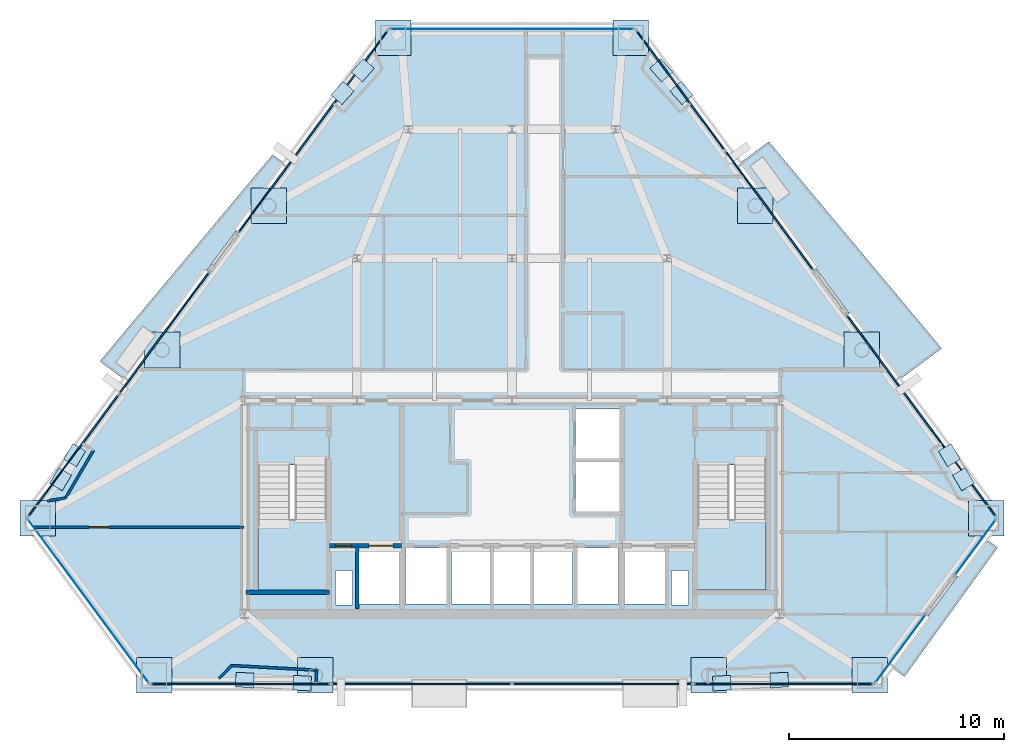
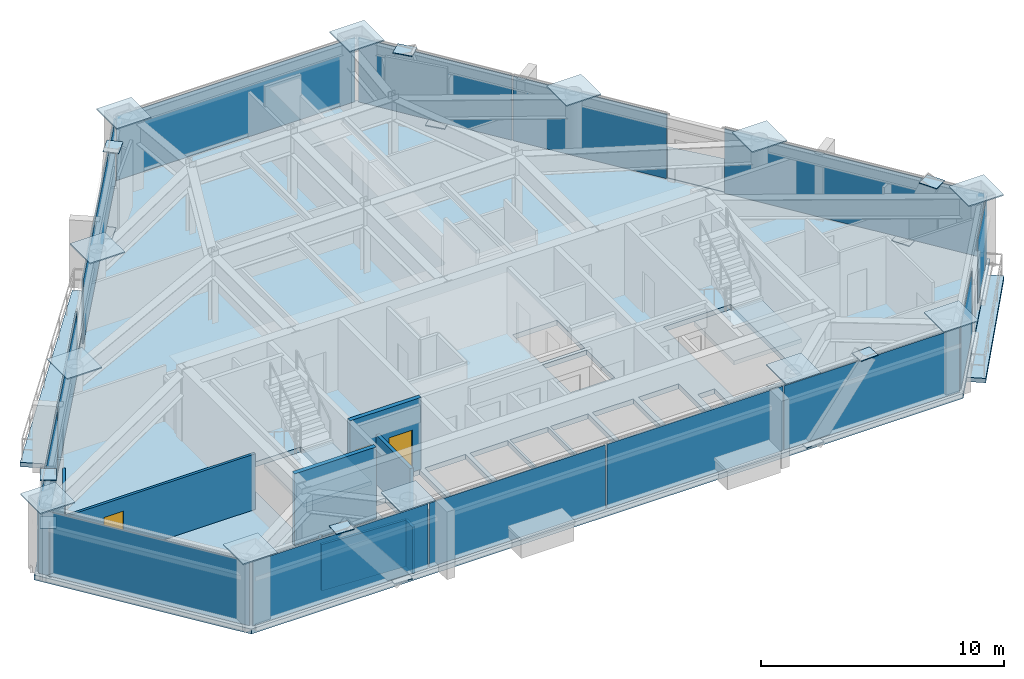
# One storey, part 6 of 11: 38 plates, 9 walls, 6 slabs, 3 doors, 3 openings, 11 elements without a shape of their own.
"""IFC4 building model written with IfcOpenShell, lengths in metres."""

from ifc_helpers import new_model, si_unit, direction, frame, frame_2d, origin, origin_2d, place, context, subcontext, project, spatial, polyline, rectangle, outline, extrude, source, transform, mapped, material, layer, layer_set, type_object, type_shapes, element, fill, aggregate, save


model = new_model("IFC4")

# Units and contexts
model_context = context("Model", 3, precision=1e-05, world=origin(), true_north=direction((0.0, 1.0)))
body_context = subcontext(model_context, "Body", "Model", "MODEL_VIEW")
ifc_project = project(units=[si_unit("LENGTHUNIT", "METRE"), si_unit("AREAUNIT", "SQUARE_METRE"), si_unit("VOLUMEUNIT", "CUBIC_METRE"), si_unit("PLANEANGLEUNIT", "RADIAN"), si_unit("MASSUNIT", "GRAM", prefix="KILO")], contexts=[model_context])

# Site, building, storey
site_placement = place(None, origin())
site = spatial("IfcSite", under=ifc_project, at=site_placement, CompositionType="ELEMENT")
building_placement = place(site_placement, origin())
building = spatial("IfcBuilding", under=site, at=building_placement, Name="Talgorran Terracotta Tower", CompositionType="ELEMENT")
storey_placement = place(building_placement, frame((0.0, 0.0, 125.699951171875)))
storey = spatial("IfcBuildingStorey", under=building, at=storey_placement, Name="L32", CompositionType="ELEMENT", Elevation=125.699951171875)

# Plates
ifc_material_1 = material(Name="Steel Grade 350 (350L0)", Category="steel")
ifc_layer_1 = layer(ifc_material_1, 0.035888671875, Name="PL_CAP_MN06")
ifc_layer_set_1 = layer_set([ifc_layer_1], Name="Steel Grade 350 (350L0)")
plate_type_1 = type_object("IfcPlateType", Name="PL_CAP_MN06", PredefinedType="USERDEFINED", material=ifc_layer_set_1)
for number, where, z_axis, x_axis, name in (
    (1, (-9.743896484375, -17.3232421875, -0.0078125), (0.0, 0.0, 1.0), (-0.998536670326, 0.054078812985, 0.0), "L32 Diagonal Frame End Cap SWF Bot"),
    (2, (-12.41162109375, -17.178955078125, 3.322265625), (0.0, 0.0, 1.0), (-0.998536670326, 0.054078812985, 0.0), "L32 Diagonal Frame End Cap SWF Top"),
    (3, (9.743896484375, -17.3232421875, -0.0078125), (0.0, 0.0, 1.0), (0.998536670326, 0.054078812985, 0.0), "L32 Diagonal Frame End Cap SEF Bot"),
    (4, (12.41162109375, -17.178955078125, 3.322265625), (0.0, 0.0, 1.0), (0.998536670326, 0.054078812985, 0.0), "L32 Diagonal Frame End Cap SEF Top"),
    (5, (20.303955078125, -6.73828125, -0.0078125), (0.0, 0.0, 1.0), (0.506033764121, -0.862513669207, 0.0), "L32 Diagonal Frame End Cap NEL Bot"),
    (6, (20.96142578125, -7.85888671875, 3.322265625), (0.0, 0.0, 1.0), (0.506033764121, -0.862513669207, 0.0), "L32 Diagonal Frame End Cap NEL Top"),
    (7, (7.8662109375, 10.078369140625, -0.0078125), (0.0, 0.0, 1.0), (-0.665881666001, 0.746057375062, 0.0), "L32 Diagonal Frame End Cap NEU Bot"),
    (8, (6.925537109375, 11.13232421875, 3.322265625), (0.0, 0.0, 1.0), (-0.665881666001, 0.746057375062, 0.0), "L32 Diagonal Frame End Cap NEU Top"),
    (9, (-7.8662109375, 10.078369140625, -0.0078125), (0.0, 0.0, 1.0), (0.665881666001, 0.746057375062, 0.0), "L32 Diagonal Frame End Cap NWU Bot"),
    (10, (-6.925537109375, 11.13232421875, 3.322265625), (0.0, 0.0, 1.0), (0.665881666001, 0.746057375062, 0.0), "L32 Diagonal Frame End Cap NWU Top"),
    (11, (-20.303955078125, -6.73828125, -0.0078125), (0.0, 0.0, 1.0), (-0.506033764121, -0.862513669207, 0.0), "L32 Diagonal Frame End Cap NWL Bot"),
    (12, (-20.96142578125, -7.85888671875, 3.322265625), (0.0, 0.0, 1.0), (-0.506033764121, -0.862513669207, 0.0), "L32 Diagonal Frame End Cap NWL Top"),
):
    element("IfcPlate", number, at=place(storey_placement, frame(where, z_axis=z_axis, x_axis=x_axis)), inside=storey, type_object=plate_type_1, Name=name, ObjectType="CAP PLATE", PredefinedType="USERDEFINED", context=body_context, shape_type="SweptSolid", body=[
        extrude(rectangle(XDim=0.840087890625, YDim=0.679931640625, at=origin_2d()), origin(), (0.0, 0.0, 1.0), 0.035888671875),
    ])
ifc_layer_2 = layer(ifc_material_1, 0.06005859375, Name="PL_NODE_MN01")
ifc_layer_set_2 = layer_set([ifc_layer_2], Name="Steel Grade 350 (350L0)")
plate_type_2 = type_object("IfcPlateType", Name="PL_NODE_MN01", PredefinedType="USERDEFINED", material=ifc_layer_set_2)
for number, where, z_axis, x_axis, name in (
    (13, (-22.0185546875, -9.661865234375, 3.5849609375), (0.0, 0.0, 1.0), (1.0, 0.0, 0.0), "L32 Mega-Column Cap Plate MC1"),
    (14, (-16.618408203125, -16.96337890625, 3.5849609375), (0.0, 0.0, 1.0), (1.0, 0.0, 0.0), "L32 Mega-Column Cap Plate MC2"),
    (15, (16.618408203125, -16.96337890625, 3.5849609375), (0.0, 0.0, 1.0), (1.0, 0.0, 0.0), "L32 Mega-Column Cap Plate MC3"),
    (16, (22.0185546875, -9.661865234375, 3.5849609375), (0.0, 0.0, 1.0), (1.0, 0.0, 0.0), "L32 Mega-Column Cap Plate MC4"),
    (17, (5.5224609375, 12.641845703125, 3.5849609375), (0.0, 0.0, 1.0), (1.0, 0.0, 0.0), "L32 Mega-Column Cap Plate MC5"),
    (18, (-5.5224609375, 12.641845703125, 3.5849609375), (0.0, 0.0, 1.0), (1.0, 0.0, 0.0), "L32 Mega-Column Cap Plate MC6"),
    (19, (-9.14013671875, -16.96337890625, 3.5849609375), (0.0, 0.0, 1.0), (1.0, 0.0, 0.0), "L32 Facet Column Cap Plate FC1"),
    (20, (9.14013671875, -16.96337890625, 3.5849609375), (0.0, 0.0, 1.0), (1.0, 0.0, 0.0), "L32 Facet Column Cap Plate FC2"),
    (21, (16.244873046875, -1.855712890625, 3.5849609375), (0.0, 0.0, 1.0), (1.0, 0.0, 0.0), "L32 Facet Column Cap Plate FC3"),
    (22, (11.296142578125, 4.835693359375, 3.5849609375), (0.0, 0.0, 1.0), (1.0, 0.0, 0.0), "L32 Facet Column Cap Plate FC4"),
    (23, (-11.296142578125, 4.835693359375, 3.5849609375), (0.0, 0.0, 1.0), (1.0, 0.0, 0.0), "L32 Facet Column Cap Plate FC5"),
    (24, (-16.244873046875, -1.855712890625, 3.5849609375), (0.0, 0.0, 1.0), (1.0, 0.0, 0.0), "L32 Facet Column Cap Plate FC6"),
):
    element("IfcPlate", number, at=place(storey_placement, frame(where, z_axis=z_axis, x_axis=x_axis)), inside=storey, type_object=plate_type_2, Name=name, ObjectType="NODE PLATE", PredefinedType="USERDEFINED", context=body_context, shape_type="SweptSolid", body=[
        extrude(rectangle(XDim=1.64990234375, YDim=1.64990234375, at=origin_2d()), origin(), (0.0, 0.0, 1.0), 0.06005859375),
    ])

# Slabs
ifc_material_2 = material(Name="Concrete C40/50", Category="concrete")
ifc_layer_3 = layer(ifc_material_2, 0.219970703125, Name="SL_BALCONY_220")
ifc_layer_set_3 = layer_set([ifc_layer_3], Name="Concrete C40/50")
slab_type_1 = type_object("IfcSlabType", Name="SL_BALCONY_220", PredefinedType="FLOOR", material=ifc_layer_set_3)
slab_1_placement = place(storey_placement, frame((0.0, 0.0, -0.219970703125)))
element("IfcSlab", 25, at=slab_1_placement, inside=storey, type_object=slab_type_1, Name="L32 Outdoor Wave Balcony BAL-NE", PredefinedType="FLOOR", context=body_context, shape_type="SweptSolid", body=[
    extrude(outline(polyline([(10.523193359375, 6.780029296875), (17.95068359375, -3.26220703125), (19.94970703125, -1.783935546875), (11.927001953125, 7.818115234375), (10.523193359375, 6.780029296875)])), origin(), (0.0, 0.0, 1.0), 0.219970703125),
])
slab_2_placement = place(storey_placement, frame((0.0, 0.0, -0.219970703125)))
element("IfcSlab", 26, at=slab_2_placement, inside=storey, type_object=slab_type_1, Name="L32 Outdoor Wave Balcony BAL-NW", PredefinedType="FLOOR", context=body_context, shape_type="SweptSolid", body=[
    extrude(outline(polyline([(-17.95068359375, -3.26220703125), (-10.523193359375, 6.780029296875), (-11.11328125, 7.21630859375), (-19.135986328125, -2.385498046875), (-17.95068359375, -3.26220703125)])), origin(), (0.0, 0.0, 1.0), 0.219970703125),
])
slab_3_placement = place(storey_placement, frame((0.0, 0.0, -0.219970703125)))
element("IfcSlab", 27, at=slab_3_placement, inside=storey, type_object=slab_type_1, Name="L32 Outdoor Wave Balcony BAL-SE", PredefinedType="FLOOR", context=body_context, shape_type="SweptSolid", body=[
    extrude(outline(polyline([(21.983154296875, -10.609375), (17.586669921875, -16.5537109375), (18.220947265625, -17.022705078125), (22.54638671875, -11.02587890625), (21.983154296875, -10.609375)])), origin(), (0.0, 0.0, 1.0), 0.219970703125),
])

# Stair, slab
stair_type = type_object("IfcStairType", Name="ST_FIRE_SCISSOR", PredefinedType="HALF_TURN_STAIR", material=ifc_material_2)
stair_1_placement = place(storey_placement, origin())
stair_1 = element("IfcStair", 28, at=stair_1_placement, inside=storey, type_object=stair_type, Name="L32 West Protected Fire Stair ST-01", PredefinedType="HALF_TURN_STAIR")
ifc_layer_4 = layer(ifc_material_2, 0.199951171875, Name="SL_LANDING_200")
ifc_layer_set_4 = layer_set([ifc_layer_4], Name="Concrete C40/50")
slab_type_2 = type_object("IfcSlabType", Name="SL_LANDING_200", PredefinedType="LANDING", material=ifc_layer_set_4)
slab_4_placement = place(storey_placement, frame((0.0, 0.0, 1.60009765625)))
slab_4 = element("IfcSlab", 29, at=slab_4_placement, type_object=slab_type_2, Name="ST-01 landing 1", PredefinedType="LANDING", context=body_context, shape_type="SweptSolid", body=[
    extrude(outline(polyline([(-11.800048828125, -9.719970703125), (-11.800048828125, -13.0), (-8.60009765625, -13.0), (-8.60009765625, -9.719970703125), (-11.800048828125, -9.719970703125)])), origin(), (0.0, 0.0, 1.0), 0.199951171875),
])
aggregate(stair_1, [slab_4])

stair_2_placement = place(storey_placement, origin())
stair_2 = element("IfcStair", 30, at=stair_2_placement, inside=storey, type_object=stair_type, Name="L32 East Protected Fire Stair ST-02", PredefinedType="HALF_TURN_STAIR")
slab_5_placement = place(storey_placement, frame((0.0, 0.0, 1.60009765625)))
slab_5 = element("IfcSlab", 31, at=slab_5_placement, type_object=slab_type_2, Name="ST-02 landing 1", PredefinedType="LANDING", context=body_context, shape_type="SweptSolid", body=[
    extrude(outline(polyline([(8.60009765625, -9.719970703125), (8.60009765625, -13.0), (11.800048828125, -13.0), (11.800048828125, -9.719970703125), (8.60009765625, -9.719970703125)])), origin(), (0.0, 0.0, 1.0), 0.199951171875),
])
aggregate(stair_2, [slab_5])

# Slab
ifc_layer_5 = layer(ifc_material_2, 0.25, Name="SL_TOWER_250")
ifc_layer_set_5 = layer_set([ifc_layer_5], Name="Concrete C40/50")
slab_type_3 = type_object("IfcSlabType", Name="SL_TOWER_250", PredefinedType="FLOOR", material=ifc_layer_set_5)
slab_6_placement = place(storey_placement, frame((0.0, 0.0, -0.25)))
element("IfcSlab", 32, at=slab_6_placement, inside=storey, type_object=slab_type_3, Name="Storey L32 Structural Floor Slab", PredefinedType="FLOOR", context=body_context, shape_type="SweptSolid", body=[
    extrude(outline(polyline([(-22.665283203125, -9.661865234375), (-16.880615234375, -17.4833984375), (16.880615234375, -17.4833984375), (22.665283203125, -9.661865234375), (5.78466796875, 13.161865234375), (-5.78466796875, 13.161865234375), (-22.665283203125, -9.661865234375)]), holes=[polyline([(-11.800048828125, -7.199951171875), (-11.800048828125, -13.0), (-8.60009765625, -13.0), (-8.60009765625, -7.199951171875), (-11.800048828125, -7.199951171875)]), polyline([(8.60009765625, -7.199951171875), (8.60009765625, -13.0), (11.800048828125, -13.0), (11.800048828125, -7.199951171875), (8.60009765625, -7.199951171875)]), polyline([(-7.10009765625, -13.64990234375), (-5.199951171875, -13.64990234375), (-5.199951171875, -11.050048828125), (-7.10009765625, -11.050048828125), (-7.10009765625, -13.64990234375)]), polyline([(5.199951171875, -13.64990234375), (7.10009765625, -13.64990234375), (7.10009765625, -11.050048828125), (5.199951171875, -11.050048828125), (5.199951171875, -13.64990234375)]), polyline([(3.0, -13.64990234375), (4.949951171875, -13.64990234375), (4.949951171875, -11.050048828125), (3.0, -11.050048828125), (3.0, -13.64990234375)]), polyline([(-4.949951171875, -13.64990234375), (-3.0, -13.64990234375), (-3.0, -11.050048828125), (-4.949951171875, -11.050048828125), (-4.949951171875, -13.64990234375)]), polyline([(2.949951171875, -9.35009765625), (5.050048828125, -9.35009765625), (5.050048828125, -7.050048828125), (2.949951171875, -7.050048828125), (2.949951171875, -9.35009765625)]), polyline([(2.949951171875, -6.89990234375), (5.050048828125, -6.89990234375), (5.050048828125, -4.60009765625), (2.949951171875, -4.60009765625), (2.949951171875, -6.89990234375)]), polyline([(-2.800048828125, -13.64990234375), (-1.0, -13.64990234375), (-1.0, -11.050048828125), (-2.800048828125, -11.050048828125), (-2.800048828125, -13.64990234375)]), polyline([(-0.89990234375, -13.64990234375), (0.89990234375, -13.64990234375), (0.89990234375, -11.050048828125), (-0.89990234375, -11.050048828125), (-0.89990234375, -13.64990234375)]), polyline([(1.0, -13.64990234375), (2.800048828125, -13.64990234375), (2.800048828125, -11.050048828125), (1.0, -11.050048828125), (1.0, -13.64990234375)]), polyline([(-8.199951171875, -13.699951171875), (-7.39990234375, -13.699951171875), (-7.39990234375, -12.10009765625), (-8.199951171875, -12.10009765625), (-8.199951171875, -13.699951171875)]), polyline([(7.39990234375, -13.699951171875), (8.199951171875, -13.699951171875), (8.199951171875, -12.10009765625), (7.39990234375, -12.10009765625), (7.39990234375, -13.699951171875)])]), origin(), (0.0, 0.0, 1.0), 0.25),
])

# Curtain wall, plate
ifc_material_3 = material(Name="Unitised Low-E Double Glazing", Category="glass")
ifc_layer_6 = layer(ifc_material_3, 0.199951171875, Name="CW_SYS2_RES_LOW")
ifc_layer_set_6 = layer_set([ifc_layer_6], Name="Unitised Low-E Double Glazing")
curtain_wall_type = type_object("IfcCurtainWallType", Name="CW_SYS2_RES_LOW", PredefinedType="NOTDEFINED", material=ifc_layer_set_6)
curtain_wall_1_placement = place(storey_placement, origin())
curtain_wall_1 = element("IfcCurtainWall", 33, at=curtain_wall_1_placement, inside=storey, type_object=curtain_wall_type, Name="CW-L32-F0", PredefinedType="NOTDEFINED")
ifc_material_4 = material(Name="Low-E Laminated Vision Glass", Category="glass")
ifc_layer_7 = layer(ifc_material_4, 0.028076171875, Name="PLT_VISION_28")
ifc_layer_set_7 = layer_set([ifc_layer_7], Name="Low-E Laminated Vision Glass")
plate_type_3 = type_object("IfcPlateType", Name="PLT_VISION_28", PredefinedType="CURTAIN_PANEL", material=ifc_layer_set_7)
shared_shape_1 = source(origin(), body_context, "Body", "SweptSolid", [
    extrude(rectangle(XDim=9.448974609375, YDim=0.028076171875, at=origin_2d()), origin(), (0.0, 0.0, 1.0), 3.219970703125),
])
plate_1_placement = place(storey_placement, frame((-19.66796875, -13.5126953125, 0.06494140625), z_axis=(0.0, 0.0, 1.0), x_axis=(0.594638188027, -0.803993423692, 0.0)))
plate_1 = element("IfcPlate", 34, at=plate_1_placement, type_object=plate_type_3, Name="CW-L32-0 panel 1.1", PredefinedType="CURTAIN_PANEL", context=body_context, shape_type="MappedRepresentation", body=[
    mapped(shared_shape_1, transform((0.0, 0.0, 0.0), scale=1.0)),
])
aggregate(curtain_wall_1, [plate_1])

curtain_wall_2_placement = place(storey_placement, origin())
curtain_wall_2 = element("IfcCurtainWall", 35, at=curtain_wall_2_placement, inside=storey, type_object=curtain_wall_type, Name="CW-L32-F4", PredefinedType="NOTDEFINED")
shared_shape_2 = source(origin(), body_context, "Body", "SweptSolid", [
    extrude(rectangle(XDim=11.318359375, YDim=0.028076171875, at=origin_2d()), origin(), (0.0, 0.0, 1.0), 3.219970703125),
])
plate_2_placement = place(storey_placement, frame((0.0, 13.0419921875, 0.06494140625), z_axis=(0.0, 0.0, 1.0), x_axis=(-1.0, 0.0, 0.0)))
plate_2 = element("IfcPlate", 36, at=plate_2_placement, type_object=plate_type_3, Name="CW-L32-4 panel 1.1", PredefinedType="CURTAIN_PANEL", context=body_context, shape_type="MappedRepresentation", body=[
    mapped(shared_shape_2, transform((0.0, 0.0, 0.0), scale=1.0)),
])
aggregate(curtain_wall_2, [plate_2])

# Curtain wall, plates
curtain_wall_3_placement = place(storey_placement, origin())
curtain_wall_3 = element("IfcCurtainWall", 37, at=curtain_wall_3_placement, inside=storey, type_object=curtain_wall_type, Name="CW-L32-F1", PredefinedType="NOTDEFINED")
ifc_material_5 = material(Name="Terracotta Insulated Spandrel", Category="masonry")
ifc_layer_8 = layer(ifc_material_5, 0.06494140625, Name="PLT_SPANDREL_TERRA")
ifc_layer_set_8 = layer_set([ifc_layer_8], Name="Terracotta Insulated Spandrel")
plate_type_4 = type_object("IfcPlateType", Name="PLT_SPANDREL_TERRA", PredefinedType="SHEET", material=ifc_layer_set_8)
shared_shape_3 = source(origin(), body_context, "Body", "SweptSolid", [
    extrude(rectangle(XDim=8.3125, YDim=0.06494140625, at=origin_2d()), origin(), (0.0, 0.0, 1.0), 3.219970703125),
])
plate_3_placement = place(storey_placement, frame((-12.5986328125, -17.36328125, 0.06494140625), z_axis=(0.0, 0.0, 1.0), x_axis=(1.0, 0.0, 0.0)))
plate_3 = element("IfcPlate", 38, at=plate_3_placement, type_object=plate_type_4, Name="CW-L32-1 panel 1.1", PredefinedType="CURTAIN_PANEL", context=body_context, shape_type="MappedRepresentation", body=[
    mapped(shared_shape_3, transform((0.0, 0.0, 0.0), scale=1.0)),
])
plate_4_placement = place(storey_placement, frame((12.5986328125, -17.36328125, 0.06494140625), z_axis=(0.0, 0.0, 1.0), x_axis=(1.0, 0.0, 0.0)))
plate_4 = element("IfcPlate", 39, at=plate_4_placement, type_object=plate_type_4, Name="CW-L32-1 panel 4.1", PredefinedType="CURTAIN_PANEL", context=body_context, shape_type="MappedRepresentation", body=[
    mapped(shared_shape_3, transform((0.0, 0.0, 0.0), scale=1.0)),
])
shared_shape_4 = source(origin(), body_context, "Body", "SweptSolid", [
    extrude(rectangle(XDim=8.344970703125, YDim=0.06494140625, at=origin_2d()), origin(), (0.0, 0.0, 1.0), 3.219970703125),
])
plate_5_placement = place(storey_placement, frame((-4.205078125, -17.36328125, 0.06494140625), z_axis=(0.0, 0.0, 1.0), x_axis=(1.0, 0.0, 0.0)))
plate_5 = element("IfcPlate", 40, at=plate_5_placement, type_object=plate_type_4, Name="CW-L32-1 panel 2.1", PredefinedType="CURTAIN_PANEL", context=body_context, shape_type="MappedRepresentation", body=[
    mapped(shared_shape_4, transform((0.0, 0.0, 0.0), scale=1.0)),
])
plate_6_placement = place(storey_placement, frame((4.205078125, -17.36328125, 0.06494140625), z_axis=(0.0, 0.0, 1.0), x_axis=(1.0, 0.0, 0.0)))
plate_6 = element("IfcPlate", 41, at=plate_6_placement, type_object=plate_type_4, Name="CW-L32-1 panel 3.1", PredefinedType="CURTAIN_PANEL", context=body_context, shape_type="MappedRepresentation", body=[
    mapped(shared_shape_4, transform((0.0, 0.0, 0.0), scale=1.0)),
])
aggregate(curtain_wall_3, [plate_3, plate_5, plate_6, plate_4])

# Curtain wall, plate
curtain_wall_4_placement = place(storey_placement, origin())
curtain_wall_4 = element("IfcCurtainWall", 42, at=curtain_wall_4_placement, inside=storey, type_object=curtain_wall_type, Name="CW-L32-F30", PredefinedType="NOTDEFINED")
shared_shape_5 = source(origin(), body_context, "Body", "SweptSolid", [
    extrude(rectangle(XDim=3.91015625, YDim=0.028076171875, at=origin_2d()), origin(), (0.0, 0.0, 1.0), 3.219970703125),
])
plate_7_placement = place(storey_placement, frame((18.045166015625, -15.70703125, 0.06494140625), z_axis=(0.0, 0.0, 1.0), x_axis=(0.594644351795, 0.803988864897, 0.0)))
plate_7 = element("IfcPlate", 43, at=plate_7_placement, type_object=plate_type_3, Name="CW-L32-30 panel 1.1", PredefinedType="CURTAIN_PANEL", context=body_context, shape_type="MappedRepresentation", body=[
    mapped(shared_shape_5, transform((0.0, 0.0, 0.0), scale=1.0)),
])
aggregate(curtain_wall_4, [plate_7])

curtain_wall_5_placement = place(storey_placement, origin())
curtain_wall_5 = element("IfcCurtainWall", 44, at=curtain_wall_5_placement, inside=storey, type_object=curtain_wall_type, Name="CW-L32-F31", PredefinedType="NOTDEFINED")
shared_shape_6 = source(origin(), body_context, "Body", "SweptSolid", [
    extrude(rectangle(XDim=3.16845703125, YDim=0.028076171875, at=origin_2d()), origin(), (0.0, 0.0, 1.0), 3.219970703125),
])
type_shapes(plate_type_3, [shared_shape_1, shared_shape_2, shared_shape_5, shared_shape_6])
plate_8_placement = place(storey_placement, frame((21.511474609375, -11.02001953125, 0.06494140625), z_axis=(0.0, 0.0, 1.0), x_axis=(0.594651014976, 0.803983936648, 0.0)))
plate_8 = element("IfcPlate", 45, at=plate_8_placement, type_object=plate_type_3, Name="CW-L32-31 panel 1.1", PredefinedType="CURTAIN_PANEL", context=body_context, shape_type="MappedRepresentation", body=[
    mapped(shared_shape_6, transform((0.0, 0.0, 0.0), scale=1.0)),
])
aggregate(curtain_wall_5, [plate_8])

curtain_wall_6_placement = place(storey_placement, origin())
curtain_wall_6 = element("IfcCurtainWall", 46, at=curtain_wall_6_placement, inside=storey, type_object=curtain_wall_type, Name="CW-L32-F40", PredefinedType="NOTDEFINED")
shared_shape_7 = source(origin(), body_context, "Body", "SweptSolid", [
    extrude(rectangle(XDim=11.630615234375, YDim=0.06494140625, at=origin_2d()), origin(), (0.0, 0.0, 1.0), 3.219970703125),
])
plate_9_placement = place(storey_placement, frame((18.99560546875, -4.902099609375, 0.06494140625), z_axis=(0.0, 0.0, 1.0), x_axis=(-0.594639916724, 0.803992145134, 0.0)))
plate_9 = element("IfcPlate", 47, at=plate_9_placement, type_object=plate_type_4, Name="CW-L32-40 panel 1.1", PredefinedType="CURTAIN_PANEL", context=body_context, shape_type="MappedRepresentation", body=[
    mapped(shared_shape_7, transform((0.0, 0.0, 0.0), scale=1.0)),
])
aggregate(curtain_wall_6, [plate_9])

# Curtain wall, plates
curtain_wall_7_placement = place(storey_placement, origin())
curtain_wall_7 = element("IfcCurtainWall", 48, at=curtain_wall_7_placement, inside=storey, type_object=curtain_wall_type, Name="CW-L32-F41", PredefinedType="NOTDEFINED")
shared_shape_8 = source(origin(), body_context, "Body", "SweptSolid", [
    extrude(rectangle(XDim=6.87158203125, YDim=0.06494140625, at=origin_2d()), origin(), (0.0, 0.0, 1.0), 3.219970703125),
])
plate_10_placement = place(storey_placement, frame((11.954345703125, 4.6181640625, 0.06494140625), z_axis=(0.0, 0.0, 1.0), x_axis=(-0.594634925027, 0.803995837015, 0.0)))
plate_10 = element("IfcPlate", 49, at=plate_10_placement, type_object=plate_type_4, Name="CW-L32-41 panel 1.1", PredefinedType="CURTAIN_PANEL", context=body_context, shape_type="MappedRepresentation", body=[
    mapped(shared_shape_8, transform((0.0, 0.0, 0.0), scale=1.0)),
])
plate_11_placement = place(storey_placement, frame((7.82958984375, 10.195068359375, 0.06494140625), z_axis=(0.0, 0.0, 1.0), x_axis=(-0.594634925027, 0.803995837015, 0.0)))
plate_11 = element("IfcPlate", 50, at=plate_11_placement, type_object=plate_type_4, Name="CW-L32-41 panel 2.1", PredefinedType="CURTAIN_PANEL", context=body_context, shape_type="MappedRepresentation", body=[
    mapped(shared_shape_8, transform((0.0, 0.0, 0.0), scale=1.0)),
])
aggregate(curtain_wall_7, [plate_10, plate_11])

# Curtain wall, plate
curtain_wall_8_placement = place(storey_placement, origin())
curtain_wall_8 = element("IfcCurtainWall", 51, at=curtain_wall_8_placement, inside=storey, type_object=curtain_wall_type, Name="CW-L32-F60", PredefinedType="NOTDEFINED")
shared_shape_9 = source(origin(), body_context, "Body", "SweptSolid", [
    extrude(rectangle(XDim=11.636962890625, YDim=0.06494140625, at=origin_2d()), origin(), (0.0, 0.0, 1.0), 3.219970703125),
])
plate_12_placement = place(storey_placement, frame((-9.24658203125, 8.279296875, 0.06494140625), z_axis=(0.0, 0.0, 1.0), x_axis=(-0.594637391565, -0.803994012759, 0.0)))
plate_12 = element("IfcPlate", 52, at=plate_12_placement, type_object=plate_type_4, Name="CW-L32-60 panel 1.1", PredefinedType="CURTAIN_PANEL", context=body_context, shape_type="MappedRepresentation", body=[
    mapped(shared_shape_9, transform((0.0, 0.0, 0.0), scale=1.0)),
])
aggregate(curtain_wall_8, [plate_12])

# Curtain wall, plates
curtain_wall_9_placement = place(storey_placement, origin())
curtain_wall_9 = element("IfcCurtainWall", 53, at=curtain_wall_9_placement, inside=storey, type_object=curtain_wall_type, Name="CW-L32-F61", PredefinedType="NOTDEFINED")
shared_shape_10 = source(origin(), body_context, "Body", "SweptSolid", [
    extrude(rectangle(XDim=7.018310546875, YDim=0.06494140625, at=origin_2d()), origin(), (0.0, 0.0, 1.0), 3.219970703125),
])
type_shapes(plate_type_4, [shared_shape_3, shared_shape_4, shared_shape_7, shared_shape_8, shared_shape_9, shared_shape_10])
plate_13_placement = place(storey_placement, frame((-16.15478515625, -1.06103515625, 0.06494140625), z_axis=(0.0, 0.0, 1.0), x_axis=(-0.594637401163, -0.80399400566, 0.0)))
plate_13 = element("IfcPlate", 54, at=plate_13_placement, type_object=plate_type_4, Name="CW-L32-61 panel 1.1", PredefinedType="CURTAIN_PANEL", context=body_context, shape_type="MappedRepresentation", body=[
    mapped(shared_shape_10, transform((0.0, 0.0, 0.0), scale=1.0)),
])
plate_14_placement = place(storey_placement, frame((-20.366943359375, -6.756103515625, 0.06494140625), z_axis=(0.0, 0.0, 1.0), x_axis=(-0.594637401163, -0.80399400566, 0.0)))
plate_14 = element("IfcPlate", 55, at=plate_14_placement, type_object=plate_type_4, Name="CW-L32-61 panel 2.1", PredefinedType="CURTAIN_PANEL", context=body_context, shape_type="MappedRepresentation", body=[
    mapped(shared_shape_10, transform((0.0, 0.0, 0.0), scale=1.0)),
])
aggregate(curtain_wall_9, [plate_13, plate_14])

# Wall
ifc_material_6 = material(Name="Concrete C50/60", Category="concrete")
ifc_layer_9 = layer(ifc_material_6, 0.199951171875, Name="WT_CORE_200")
ifc_layer_set_9 = layer_set([ifc_layer_9], Name="Concrete C50/60")
wall_type_1 = type_object("IfcWallType", Name="WT_CORE_200", PredefinedType="SOLIDWALL", material=ifc_layer_set_9)
wall_1_placement = place(storey_placement, frame((-12.35009765625, -13.10009765625, 0.0), z_axis=(0.0, 0.0, 1.0), x_axis=(1.0, 0.0, 0.0)))
element("IfcWall", 56, at=wall_1_placement, inside=storey, type_object=wall_type_1, Name="WL-L32-CW-ST1-S", PredefinedType="SOLIDWALL", context=body_context, shape_type="SweptSolid", body=[
    extrude(rectangle(XDim=3.8701171875, YDim=0.199951171875, at=frame_2d((1.93505859375, 0.0))), origin(), (0.0, 0.0, 1.0), 3.60009765625),
])

# Wall, openings, doors
wall_2_placement = place(storey_placement, frame((-8.47998046875, -10.949951171875, 0.0), z_axis=(0.0, 0.0, 1.0), x_axis=(1.0, 0.0, 0.0)))
wall_2 = element("IfcWall", 57, at=wall_2_placement, inside=storey, type_object=wall_type_1, Name="WL-L32-CW-H-SBW", PredefinedType="SOLIDWALL", context=body_context, shape_type="SweptSolid", body=[
    extrude(rectangle(XDim=3.35986328125, YDim=0.199951171875, at=frame_2d((1.679931640625, 0.0))), origin(), (0.0, 0.0, 1.0), 3.60009765625),
])
opening_1_placement = place(wall_2_placement, frame((0.280029296875, 0.0, 0.0)))
opening_1 = element("IfcOpeningElement", 58, at=opening_1_placement, cuts=wall_2, Name="Opening DR-RSW", PredefinedType="OPENING", context=body_context, shape_type="SweptSolid", body=[
    extrude(rectangle(XDim=0.756, YDim=2.054048828125, at=frame_2d((0.375, 1.027099609375))), frame((0.0, 0.10986328125, 0.0), z_axis=(0.0, -1.0, 0.0), x_axis=(1.0, 0.0, 0.0)), (0.0, 0.0, 1.0), 0.219970703125),
])
opening_2_placement = place(wall_2_placement, frame((1.85009765625, 0.0, 0.0)))
opening_2 = element("IfcOpeningElement", 59, at=opening_2_placement, cuts=wall_2, Name="Opening LD-FFL1", PredefinedType="OPENING", context=body_context, shape_type="SweptSolid", body=[
    extrude(rectangle(XDim=1.10609765625, YDim=2.10409765625, at=frame_2d((0.550048828125, 1.052001953125))), frame((0.0, 0.10986328125, 0.0), z_axis=(0.0, -1.0, 0.0), x_axis=(1.0, 0.0, 0.0)), (0.0, 0.0, 1.0), 0.219970703125),
])
ifc_material_7 = material(Name="Brushed Stainless Steel Grade 304", Category="steel")
door_type_1 = type_object("IfcDoorType", Name="DT_LIFT_LD1100", OperationType="DOUBLE_DOOR_SLIDING", PredefinedType="DOOR", material=ifc_material_7)
door_1_placement = place(opening_2_placement, origin())
door_1 = element("IfcDoor", 60, at=door_1_placement, inside=storey, type_object=door_type_1, Name="L32 Lift Landing Door LD-FFL1", OperationType="DOUBLE_DOOR_SLIDING", OverallHeight=2.10009765625, OverallWidth=1.10009765625, PredefinedType="DOOR", context=body_context, shape_type="SweptSolid", body=[
    extrude(rectangle(XDim=1.10009765625, YDim=2.10009765625, at=frame_2d((0.550048828125, 1.050048828125))), frame((0.0, 0.02490234375, 0.0), z_axis=(0.0, -1.0, 0.0), x_axis=(1.0, 0.0, 0.0)), (0.0, 0.0, 1.0), 0.050048828125),
])
fill(opening_2, door_1)
ifc_material_8 = material(Name="Fire-Rated Pressed Steel", Category="steel")
door_type_2 = type_object("IfcDoorType", Name="DT_RISER_750", OperationType="NOTDEFINED", PredefinedType="DOOR", material=ifc_material_8)
door_2_placement = place(opening_1_placement, origin())
door_2 = element("IfcDoor", 61, at=door_2_placement, inside=storey, type_object=door_type_2, Name="DR-RSW", OperationType="SINGLE_SWING_LEFT", OverallHeight=2.050048828125, OverallWidth=0.75, PredefinedType="DOOR", context=body_context, shape_type="SweptSolid", body=[
    extrude(rectangle(XDim=0.75, YDim=2.050048828125, at=frame_2d((0.375, 1.02490234375))), frame((0.0, 0.02490234375, 0.0), z_axis=(0.0, -1.0, 0.0), x_axis=(1.0, 0.0, 0.0)), (0.0, 0.0, 1.0), 0.050048828125),
])
fill(opening_1, door_2)

# Wall, opening, door
ifc_material_9 = material(Name="Insulated Steel Stud Plasterboard", Category="steel")
ifc_layer_10 = layer(ifc_material_9, 0.1201171875, Name="WT_PART_120")
ifc_layer_set_10 = layer_set([ifc_layer_10], Name="Insulated Steel Stud Plasterboard")
wall_type_2 = type_object("IfcWallType", Name="WT_PART_120", PredefinedType="PARTITIONING", material=ifc_layer_set_10)
wall_3_placement = place(storey_placement, frame((-22.206787109375, -10.080078125, 0.0), z_axis=(0.0, 0.0, 1.0), x_axis=(1.0, 0.0, 0.0)))
wall_3 = element("IfcWall", 62, at=wall_3_placement, inside=storey, type_object=wall_type_2, Name="WL-L32-W-L32-R30", PredefinedType="PARTITIONING", context=body_context, shape_type="SweptSolid", body=[
    extrude(rectangle(XDim=9.766845703125, YDim=0.1201171875, at=frame_2d((4.88330078125, 0.0))), origin(), (0.0, 0.0, 1.0), 2.7919921875),
])
opening_3_placement = place(wall_3_placement, frame((2.5703125, 0.0, 0.0)))
opening_3 = element("IfcOpeningElement", 63, at=opening_3_placement, cuts=wall_3, Name="Opening DR-L32-R11", PredefinedType="OPENING", context=body_context, shape_type="SweptSolid", body=[
    extrude(rectangle(XDim=0.925921875, YDim=2.10409765625, at=frame_2d((0.4599609375, 1.052001953125))), frame((0.0, 0.070068359375, 0.0), z_axis=(0.0, -1.0, 0.0), x_axis=(1.0, 0.0, 0.0)), (0.0, 0.0, 1.0), 0.14013671875),
])
ifc_material_10 = material(Name="Solid-Core Painted Timber", Category="wood")
door_type_3 = type_object("IfcDoorType", Name="DT_INT_920", OperationType="NOTDEFINED", PredefinedType="DOOR", material=ifc_material_10)
door_3_placement = place(opening_3_placement, origin())
door_3 = element("IfcDoor", 64, at=door_3_placement, inside=storey, type_object=door_type_3, Name="DR-L32-R11", OperationType="SINGLE_SWING_LEFT", OverallHeight=2.10009765625, OverallWidth=0.919921875, PredefinedType="DOOR", context=body_context, shape_type="SweptSolid", body=[
    extrude(rectangle(XDim=0.919921875, YDim=2.10009765625, at=frame_2d((0.4599609375, 1.050048828125))), frame((0.0, 0.02490234375, 0.0), z_axis=(0.0, -1.0, 0.0), x_axis=(1.0, 0.0, 0.0)), (0.0, 0.0, 1.0), 0.050048828125),
])
fill(opening_3, door_3)

# Walls
wall_4_placement = place(storey_placement, frame((-13.01611328125, -16.505126953125, 0.0), z_axis=(0.0, 0.0, 1.0), x_axis=(0.998537679812, -0.054060170142, 0.0)))
element("IfcWall", 65, at=wall_4_placement, inside=storey, type_object=wall_type_2, Name="WL-L32-BW-L32-02", PredefinedType="PARTITIONING", context=body_context, shape_type="SweptSolid", body=[
    extrude(rectangle(XDim=3.95166015625, YDim=0.1201171875, at=frame_2d((1.975830078125, 0.0))), origin(), (0.0, 0.0, 1.0), 2.324951171875),
])
wall_5_placement = place(storey_placement, frame((-19.427978515625, -6.510009765625, 0.0), z_axis=(0.0, 0.0, 1.0), x_axis=(-0.505993956434, -0.862537023004, 0.0)))
element("IfcWall", 66, at=wall_5_placement, inside=storey, type_object=wall_type_2, Name="WL-L32-BW-L32-09", PredefinedType="PARTITIONING", context=body_context, shape_type="SweptSolid", body=[
    extrude(rectangle(XDim=2.579345703125, YDim=0.1201171875, at=frame_2d((1.28955078125, 0.0))), origin(), (0.0, 0.0, 1.0), 2.324951171875),
])
wall_6_placement = place(storey_placement, frame((-13.60498046875, -17.11474609375, 0.0), z_axis=(0.0, 0.0, 1.0), x_axis=(0.69475899008, 0.719242619498, 0.0)))
element("IfcWall", 67, at=wall_6_placement, inside=storey, type_object=wall_type_2, Name="WL-L32-BW-L32-01", PredefinedType="PARTITIONING", context=body_context, shape_type="SweptSolid", body=[
    extrude(rectangle(XDim=0.84765625, YDim=0.1201171875, at=frame_2d((0.423828125, 0.0))), origin(), (0.0, 0.0, 1.0), 2.7919921875),
])
wall_7_placement = place(storey_placement, frame((-20.733154296875, -8.73486328125, 0.0), z_axis=(0.0, 0.0, 1.0), x_axis=(-0.989670684279, -0.143359466653, 0.0)))
element("IfcWall", 68, at=wall_7_placement, inside=storey, type_object=wall_type_2, Name="WL-L32-BW-L32-10", PredefinedType="PARTITIONING", context=body_context, shape_type="SweptSolid", body=[
    extrude(rectangle(XDim=0.846435546875, YDim=0.1201171875, at=frame_2d((0.42333984375, 0.0))), origin(), (0.0, 0.0, 1.0), 2.324951171875),
])
wall_8_placement = place(storey_placement, frame((-9.0703125, -16.71875, 0.0), z_axis=(0.0, 0.0, 1.0), x_axis=(-0.053788890406, -0.99855232976, 0.0)))
element("IfcWall", 69, at=wall_8_placement, inside=storey, type_object=wall_type_2, Name="WL-L32-BW-L32-03", PredefinedType="PARTITIONING", context=body_context, shape_type="SweptSolid", body=[
    extrude(rectangle(XDim=0.635498046875, YDim=0.1201171875, at=frame_2d((0.31787109375, 0.0))), origin(), (0.0, 0.0, 1.0), 2.324951171875),
])
ifc_material_11 = material(Name="Fire-Rated Shaftwall")
ifc_layer_11 = layer(ifc_material_11, 0.159912109375, Name="WT_PART_150")
ifc_layer_set_11 = layer_set([ifc_layer_11], Name="Fire-Rated Shaftwall")
wall_type_3 = type_object("IfcWallType", Name="WT_PART_150", PredefinedType="PARTITIONING", material=ifc_layer_set_11)
wall_9_placement = place(storey_placement, frame((-7.179931640625, -13.85009765625, 0.0), z_axis=(0.0, 0.0, 1.0), x_axis=(0.0, 1.0, 0.0)))
element("IfcWall", 70, at=wall_9_placement, inside=storey, type_object=wall_type_3, Name="WL-L32-CW-RSW", PredefinedType="PARTITIONING", context=body_context, shape_type="SweptSolid", body=[
    extrude(rectangle(XDim=2.900146484375, YDim=0.159912109375, at=frame_2d((1.4501953125, 0.0))), origin(), (0.0, 0.0, 1.0), 2.47509765625),
])

save(model, "model.ifc")
